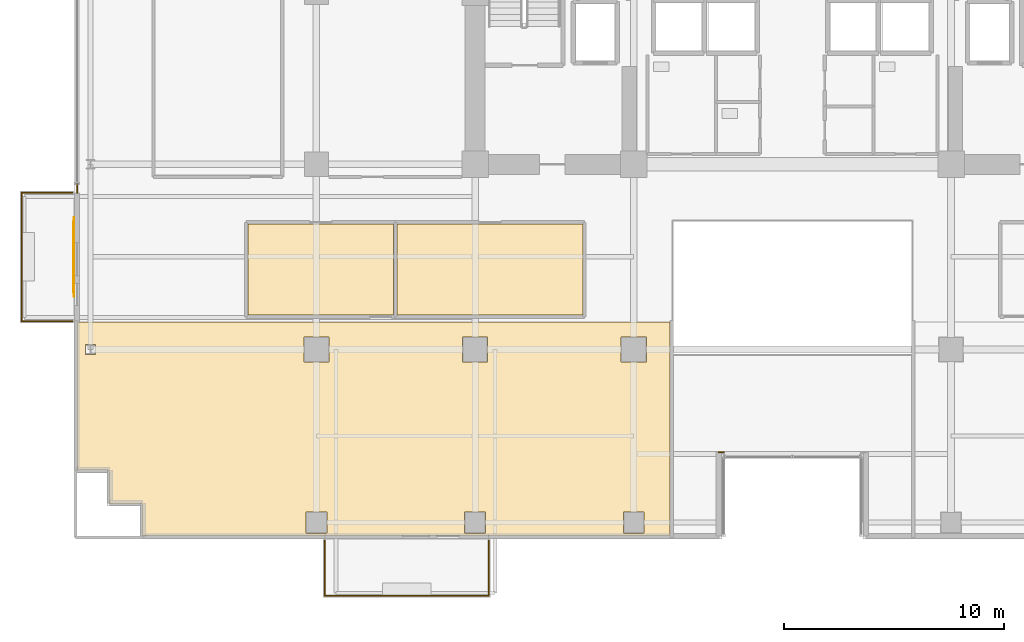
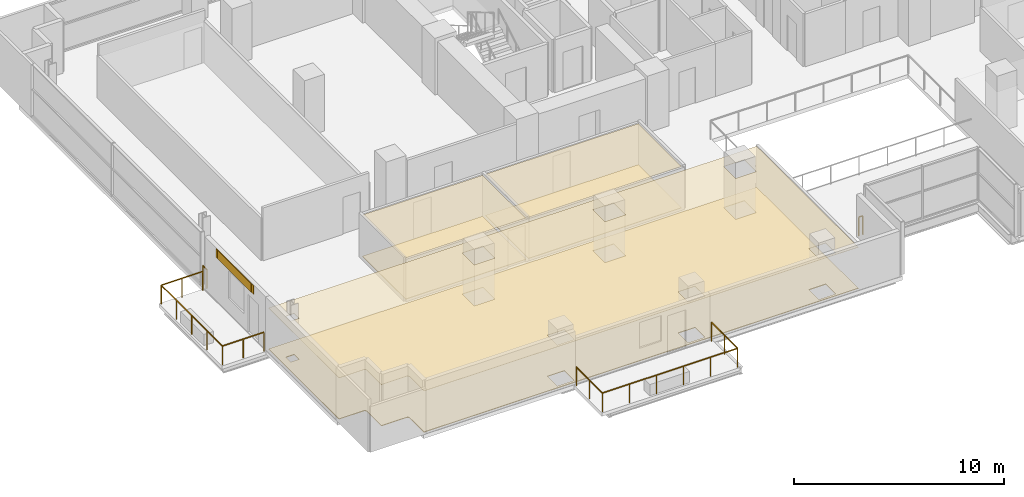
# One storey, part 27 of 31: 7 coverings, 4 railings, 1 shading device.
"""IFC4 building model written with IfcOpenShell, lengths in metres."""

import ifcopenshell
import ifcopenshell.guid

model = None  # the IFC model being written
_history = None  # IfcOwnerHistory: only IFC2X3 demands one
_inside = {}  # id of a spatial element -> (the spatial element, [elements in it])
_under = {}  # id of a project, library or spatial element -> (it, [spatial elements below it])
_declared = {}  # id of a project -> (the project, [libraries it declares])
_typed = {}  # id of a type object -> (the type object, [elements of that type])
_made_of = {}  # id of a material, layer set ... -> (it, [elements and type objects made of it])


def new_model(schema):
    """Start an empty IFC model of exactly this schema.

    Asked for "IFC4X3", IfcOpenShell would pick the latest addendum, in which some entities
    have other attributes; the version numbers below select the first issue.
    IFC2X3 requires an IfcOwnerHistory on every rooted entity: one is made here for all.
    """
    global model, _history
    if schema == "IFC4X3":
        model = ifcopenshell.file(schema_version=(4, 3, 0, 0))
    else:
        model = ifcopenshell.file(schema=schema)
    _inside.clear()
    _under.clear()
    _declared.clear()
    _typed.clear()
    _made_of.clear()
    _history = None
    if model.schema == "IFC2X3":
        org = make("IfcOrganization", Name="unknown")
        user = make(
            "IfcPersonAndOrganization",
            ThePerson=make("IfcPerson", FamilyName="unknown"),
            TheOrganization=org,
        )
        app = make(
            "IfcApplication",
            ApplicationDeveloper=org,
            Version="unknown",
            ApplicationFullName="unknown",
            ApplicationIdentifier="unknown",
        )
        _history = make(
            "IfcOwnerHistory",
            OwningUser=user,
            OwningApplication=app,
            ChangeAction="ADDED",
            CreationDate=0,
        )
    return model


def make(cls, **values):
    """One entity of the class cls with the attributes given. An attribute that is None is left unset."""
    return model.create_entity(
        cls, **{name: value for name, value in values.items() if value is not None}
    )


def rooted(cls, **values):
    """An entity with a GlobalId (a new one), such as an element, a storey or a relation."""
    return make(cls, GlobalId=ifcopenshell.guid.new(), OwnerHistory=_history, **values)


def si_unit(unit_type, name, prefix=None):
    """IfcSIUnit, for example si_unit("LENGTHUNIT", "METRE", prefix="MILLI")."""
    return make("IfcSIUnit", UnitType=unit_type, Prefix=prefix, Name=name)


def assignment(units):
    """IfcUnitAssignment: the units of a project."""
    return None if units is None else make("IfcUnitAssignment", Units=units)


def point(xyz):
    """IfcCartesianPoint."""
    return None if xyz is None else make("IfcCartesianPoint", Coordinates=xyz)


def direction(xyz):
    """IfcDirection."""
    return None if xyz is None else make("IfcDirection", DirectionRatios=xyz)


def frame(location, z_axis=None, x_axis=None):
    """IfcAxis2Placement3D, a coordinate frame: its origin and axes. An axis left out is left unset."""
    return make(
        "IfcAxis2Placement3D",
        Location=point(location),
        Axis=direction(z_axis),
        RefDirection=direction(x_axis),
    )


def frame_2d(location, x_axis=None):
    """IfcAxis2Placement2D, a coordinate frame in the plane: its origin and x axis."""
    return make(
        "IfcAxis2Placement2D", Location=point(location), RefDirection=direction(x_axis)
    )


def origin():
    """The frame at (0, 0, 0) with its axes left unset."""
    return frame((0.0, 0.0, 0.0))


def origin_2d():
    """The frame at (0, 0) in the plane with its x axis left unset."""
    return frame_2d((0.0, 0.0))


def place(relative_to, where):
    """IfcLocalPlacement: puts the frame where relative to a parent placement (None: the world)."""
    return make(
        "IfcLocalPlacement", PlacementRelTo=relative_to, RelativePlacement=where
    )


def context(
    kind, dimensions, precision=None, world=None, true_north=None, identifier=None
):
    """IfcGeometricRepresentationContext, for example the 3D "Model" context."""
    return make(
        "IfcGeometricRepresentationContext",
        ContextIdentifier=identifier,
        ContextType=kind,
        CoordinateSpaceDimension=dimensions,
        Precision=precision,
        WorldCoordinateSystem=world,
        TrueNorth=true_north,
    )


def subcontext(parent, identifier, kind, view, scale=None):
    """IfcGeometricRepresentationSubContext, for example "Body" below "Model"."""
    return make(
        "IfcGeometricRepresentationSubContext",
        ContextIdentifier=identifier,
        ContextType=kind,
        ParentContext=parent,
        TargetScale=scale,
        TargetView=view,
    )


def project(units=None, contexts=None):
    """IfcProject with its units and contexts."""
    return rooted(
        "IfcProject",
        Name="project",
        RepresentationContexts=contexts,
        UnitsInContext=assignment(units),
    )


def spatial(cls, under=None, at=None, **own):
    """A site, building, storey or space (cls), placed at a placement, below another one or the project."""
    s = rooted(cls, ObjectPlacement=at, **own)
    if under is not None:
        _under.setdefault(under.id(), (under, []))[1].append(s)
    return s


def polyline(points):
    """IfcPolyline through the points."""
    return make("IfcPolyline", Points=[point(p) for p in points])


def profile(cls, at=None, kind="AREA", **sizes):
    """A parametric profile (cls). Its sizes go by their IFC names, for example OverallWidth=200.0."""
    return make(cls, ProfileType=kind, Position=at, **sizes)


def rectangle(**sizes):
    """IfcRectangleProfileDef."""
    return profile("IfcRectangleProfileDef", **sizes)


def outline(outer, holes=None, kind="AREA"):
    """IfcArbitraryClosedProfileDef: a profile drawn as a closed curve; with holes, ...WithVoids."""
    if holes is None:
        return make("IfcArbitraryClosedProfileDef", ProfileType=kind, OuterCurve=outer)
    return make(
        "IfcArbitraryProfileDefWithVoids",
        ProfileType=kind,
        OuterCurve=outer,
        InnerCurves=holes,
    )


def extrude(swept, where, along, depth):
    """IfcExtrudedAreaSolid: the profile swept, set in the frame where, extruded along a direction by depth."""
    return make(
        "IfcExtrudedAreaSolid",
        SweptArea=swept,
        Position=where,
        ExtrudedDirection=direction(along),
        Depth=depth,
    )


def shape(context_of_items, identifier, shape_type, items):
    """IfcShapeRepresentation: the items that make up one representation, for example the "Body"."""
    return make(
        "IfcShapeRepresentation",
        ContextOfItems=context_of_items,
        RepresentationIdentifier=identifier,
        RepresentationType=shape_type,
        Items=items,
    )


def source(mapping_origin, context_of_items, identifier, shape_type, items):
    """IfcRepresentationMap: a shape defined once, which mapped items show again and again."""
    return make(
        "IfcRepresentationMap",
        MappingOrigin=mapping_origin,
        MappedRepresentation=shape(context_of_items, identifier, shape_type, items),
    )


def transform(
    local_origin,
    x_axis=None,
    y_axis=None,
    z_axis=None,
    scale=None,
    scale2=None,
    scale3=None,
    uniform=True,
):
    """IfcCartesianTransformationOperator3D, or its non-uniform kind. x_axis, y_axis, z_axis: its Axis1, 2, 3."""
    if uniform:
        return make(
            "IfcCartesianTransformationOperator3D",
            Axis1=direction(x_axis),
            Axis2=direction(y_axis),
            LocalOrigin=point(local_origin),
            Scale=scale,
            Axis3=direction(z_axis),
        )
    return make(
        "IfcCartesianTransformationOperator3DnonUniform",
        Axis1=direction(x_axis),
        Axis2=direction(y_axis),
        LocalOrigin=point(local_origin),
        Scale=scale,
        Axis3=direction(z_axis),
        Scale2=scale2,
        Scale3=scale3,
    )


def mapped(mapping_source, mapping_target):
    """IfcMappedItem: shows the shape of a source again, moved by a transform."""
    return make(
        "IfcMappedItem", MappingSource=mapping_source, MappingTarget=mapping_target
    )


def material(Name=None, Category=None):
    """IfcMaterial."""
    return make("IfcMaterial", Name=Name, Category=Category)


def layer(
    of_material, thickness, ventilated=None, Name=None, Category=None, Priority=None
):
    """IfcMaterialLayer: one layer of a wall or slab, of a material (None: an air gap)."""
    return make(
        "IfcMaterialLayer",
        Material=of_material,
        LayerThickness=thickness,
        IsVentilated=ventilated,
        Name=Name,
        Category=Category,
        Priority=Priority,
    )


def layer_set(layers, Name=None):
    """IfcMaterialLayerSet."""
    return make("IfcMaterialLayerSet", MaterialLayers=layers, LayerSetName=Name)


def made_of(thing, what):
    """Note that an element or type object is made of a material, layer set ...; save() writes the relation."""
    if what is not None:
        _made_of.setdefault(what.id(), (what, []))[1].append(thing)
    return thing


def type_object(cls, material=None, **own):
    """A type object (cls), such as IfcWallType, which elements share."""
    return made_of(rooted(cls, **own), material)


def element(
    cls,
    number,
    at=None,
    inside=None,
    cuts=None,
    type_object=None,
    material=None,
    context=None,
    identifier="Body",
    shape_type=None,
    held_by="IfcProductDefinitionShape",
    body=None,
    shapes=None,
    **own,
):
    """One element of the class cls, such as IfcWall. Its Tag is "e" and its number.

    at: its placement. inside: the storey or other place that contains it. cuts: it is an
    opening in that element (IfcRelVoidsElement). A single representation is given by context,
    identifier, shape_type and body (its items); several are given by shapes. held_by: the class
    of the entity that holds the representations. save() writes the other relations.
    """
    e = rooted(cls, Tag="e%d" % number, ObjectPlacement=at, **own)
    if body is not None:
        shapes = [shape(context, identifier, shape_type, body)]
    if shapes is not None:
        e.Representation = make(held_by, Representations=shapes)
    if inside is not None:
        _inside.setdefault(inside.id(), (inside, []))[1].append(e)
    if cuts is not None:
        rooted(
            "IfcRelVoidsElement", RelatingBuildingElement=cuts, RelatedOpeningElement=e
        )
    if type_object is not None:
        _typed.setdefault(type_object.id(), (type_object, []))[1].append(e)
    return made_of(e, material)


def aggregate(whole, parts):
    """IfcRelAggregates: a whole, such as a stair, and the parts it consists of."""
    return rooted("IfcRelAggregates", RelatingObject=whole, RelatedObjects=parts)


def save(model, path):
    """Write the relations noted so far, then the file.

    IfcRelAggregates (storeys below a building ...), IfcRelContainedInSpatialStructure (elements
    in a storey), IfcRelDefinesByType, IfcRelAssociatesMaterial and IfcRelDeclares: one each for
    every whole, place, type object, material and project.
    """
    for whole, parts in _under.values():
        aggregate(whole, parts)
    for where, things in _inside.values():
        rooted(
            "IfcRelContainedInSpatialStructure",
            RelatedElements=things,
            RelatingStructure=where,
        )
    for kind, things in _typed.values():
        rooted("IfcRelDefinesByType", RelatedObjects=things, RelatingType=kind)
    for what, things in _made_of.values():
        rooted("IfcRelAssociatesMaterial", RelatedObjects=things, RelatingMaterial=what)
    for by, libraries in _declared.values():
        rooted("IfcRelDeclares", RelatingContext=by, RelatedDefinitions=libraries)
    model.write(path)


model = new_model("IFC4")

# Units and contexts
model_context = context("Model", 3, precision=1e-05, world=origin(), true_north=direction((0.0, 1.0)))
body_context = subcontext(model_context, "Body", "Model", "MODEL_VIEW")
ifc_project = project(units=[si_unit("LENGTHUNIT", "METRE"), si_unit("AREAUNIT", "SQUARE_METRE"), si_unit("VOLUMEUNIT", "CUBIC_METRE"), si_unit("PLANEANGLEUNIT", "RADIAN"), si_unit("MASSUNIT", "GRAM", prefix="KILO")], contexts=[model_context])

# Site, building, storey
site_placement = place(None, origin())
site = spatial("IfcSite", under=ifc_project, at=site_placement, CompositionType="ELEMENT")
building_placement = place(site_placement, origin())
building = spatial("IfcBuilding", under=site, at=building_placement, Name="Zarnakvel Exchange Tower", CompositionType="ELEMENT")
storey_placement = place(building_placement, frame((0.0, 0.0, 47.199951171875)))
storey = spatial("IfcBuildingStorey", under=building, at=storey_placement, Name="L12", CompositionType="ELEMENT", Elevation=47.199951171875)

# Coverings
ifc_material_1 = material(Name="Perforated Bronze Acoustic Metal Ceiling", Category="aluminium")
ifc_layer_1 = layer(ifc_material_1, 0.02001953125)
ifc_layer_set_1 = layer_set([ifc_layer_1], Name="Perforated Bronze Acoustic Metal Ceiling")
covering_type_1 = type_object("IfcCoveringType", Name="CLG-01", PredefinedType="CEILING", material=ifc_layer_set_1)
covering_1_placement = place(storey_placement, frame((0.0, 0.0, 2.405029296875)))
element("IfcCovering", 1, at=covering_1_placement, inside=storey, type_object=covering_type_1, Name="L12 Suspended Acoustic Ceiling (Conference Room)", PredefinedType="CEILING", context=body_context, shape_type="SweptSolid", body=[
    extrude(outline(polyline([(-24.710205078125, -3.909912109375), (-18.092529296875, -3.909912109375), (-18.092529296875, -8.0400390625), (-24.710205078125, -8.0400390625), (-24.710205078125, -3.909912109375)])), origin(), (0.0, 0.0, 1.0), 0.02001953125),
])
covering_2_placement = place(storey_placement, frame((0.0, 0.0, 2.405029296875)))
element("IfcCovering", 2, at=covering_2_placement, inside=storey, type_object=covering_type_1, Name="L12 Suspended Acoustic Ceiling (Executive Suite)", PredefinedType="CEILING", context=body_context, shape_type="SweptSolid", body=[
    extrude(outline(polyline([(-17.9326171875, -3.909912109375), (-9.510009765625, -3.909912109375), (-9.510009765625, -8.0400390625), (-17.9326171875, -8.0400390625), (-17.9326171875, -3.909912109375)])), origin(), (0.0, 0.0, 1.0), 0.02001953125),
])
covering_3_placement = place(storey_placement, frame((0.0, 0.0, 2.405029296875)))
element("IfcCovering", 3, at=covering_3_placement, inside=storey, type_object=covering_type_1, Name="L12 Suspended Acoustic Ceiling (Derivatives Trading Hall)", PredefinedType="CEILING", context=body_context, shape_type="SweptSolid", body=[
    extrude(outline(polyline([(-5.56005859375, -8.360107421875), (-5.56005859375, -18.050048828125), (-29.47998046875, -18.050048828125), (-29.47998046875, -16.699951171875), (-29.48046875, -16.688232421875), (-29.482421875, -16.676513671875), (-29.485107421875, -16.665283203125), (-29.489013671875, -16.654052734375), (-29.494140625, -16.643310546875), (-29.500244140625, -16.63330078125), (-29.50732421875, -16.623779296875), (-29.51513671875, -16.615234375), (-29.52392578125, -16.607177734375), (-29.533447265625, -16.600341796875), (-29.54345703125, -16.59423828125), (-29.55419921875, -16.589111328125), (-29.565185546875, -16.585205078125), (-29.57666015625, -16.582275390625), (-29.588134765625, -16.58056640625), (-29.60009765625, -16.580078125), (-30.97998046875, -16.580078125), (-30.97998046875, -15.199951171875), (-30.98046875, -15.188232421875), (-30.982421875, -15.176513671875), (-30.985107421875, -15.165283203125), (-30.989013671875, -15.154052734375), (-30.994140625, -15.143310546875), (-31.000244140625, -15.13330078125), (-31.00732421875, -15.123779296875), (-31.01513671875, -15.115234375), (-31.02392578125, -15.107177734375), (-31.033447265625, -15.100341796875), (-31.04345703125, -15.09423828125), (-31.05419921875, -15.089111328125), (-31.065185546875, -15.085205078125), (-31.07666015625, -15.082275390625), (-31.088134765625, -15.08056640625), (-31.10009765625, -15.080078125), (-32.449951171875, -15.080078125), (-32.449951171875, -8.360107421875), (-5.56005859375, -8.360107421875)]), holes=[polyline([(-7.77001953125, -10.169921875), (-6.6298828125, -10.169921875), (-6.6298828125, -9.030029296875), (-7.77001953125, -9.030029296875), (-7.77001953125, -10.169921875)]), polyline([(-6.72998046875, -17.919921875), (-6.72998046875, -16.97998046875), (-7.669921875, -16.97998046875), (-7.669921875, -17.919921875), (-6.72998046875, -17.919921875)]), polyline([(-13.830078125, -10.169921875), (-13.830078125, -9.030029296875), (-14.969970703125, -9.030029296875), (-14.969970703125, -10.169921875), (-13.830078125, -10.169921875)]), polyline([(-13.929931640625, -17.919921875), (-13.929931640625, -16.97998046875), (-14.8701171875, -16.97998046875), (-14.8701171875, -17.919921875), (-13.929931640625, -17.919921875)]), polyline([(-21.030029296875, -10.169921875), (-21.030029296875, -9.030029296875), (-22.169921875, -9.030029296875), (-22.169921875, -10.169921875), (-21.030029296875, -10.169921875)]), polyline([(-21.1298828125, -17.919921875), (-21.1298828125, -16.97998046875), (-22.070068359375, -16.97998046875), (-22.070068359375, -17.919921875), (-21.1298828125, -17.919921875)]), polyline([(-32.075927734375, -9.83251953125), (-31.6240234375, -9.83251953125), (-31.6240234375, -9.367431640625), (-32.075927734375, -9.367431640625), (-32.075927734375, -9.83251953125)])]), origin(), (0.0, 0.0, 1.0), 0.02001953125),
])
ifc_material_2 = material(Name="Heavy-Duty Raised Access Floor Panel", Category="steel")
ifc_layer_2 = layer(ifc_material_2, 0.034912109375)
ifc_layer_set_2 = layer_set([ifc_layer_2], Name="Heavy-Duty Raised Access Floor Panel")
covering_type_2 = type_object("IfcCoveringType", Name="FLR-02", PredefinedType="FLOORING", material=ifc_layer_set_2)
covering_4_placement = place(storey_placement, origin())
element("IfcCovering", 4, at=covering_4_placement, inside=storey, type_object=covering_type_2, Name="L12 Floor Finish (Conference Room)", PredefinedType="FLOORING", context=body_context, shape_type="SweptSolid", body=[
    extrude(outline(polyline([(-24.710205078125, -3.909912109375), (-18.092529296875, -3.909912109375), (-18.092529296875, -8.0400390625), (-24.710205078125, -8.0400390625), (-24.710205078125, -3.909912109375)])), origin(), (0.0, 0.0, 1.0), 0.03515625),
])
covering_5_placement = place(storey_placement, origin())
element("IfcCovering", 5, at=covering_5_placement, inside=storey, type_object=covering_type_2, Name="L12 Floor Finish (Executive Suite)", PredefinedType="FLOORING", context=body_context, shape_type="SweptSolid", body=[
    extrude(outline(polyline([(-17.9326171875, -3.909912109375), (-9.510009765625, -3.909912109375), (-9.510009765625, -8.0400390625), (-17.9326171875, -8.0400390625), (-17.9326171875, -3.909912109375)])), origin(), (0.0, 0.0, 1.0), 0.03515625),
])
covering_6_placement = place(storey_placement, origin())
element("IfcCovering", 6, at=covering_6_placement, inside=storey, type_object=covering_type_2, Name="L12 Floor Finish (Derivatives Trading Hall)", PredefinedType="FLOORING", context=body_context, shape_type="SweptSolid", body=[
    extrude(outline(polyline([(-5.56005859375, -8.360107421875), (-5.56005859375, -18.050048828125), (-29.47998046875, -18.050048828125), (-29.47998046875, -16.699951171875), (-29.48046875, -16.688232421875), (-29.482421875, -16.676513671875), (-29.485107421875, -16.665283203125), (-29.489013671875, -16.654052734375), (-29.494140625, -16.643310546875), (-29.500244140625, -16.63330078125), (-29.50732421875, -16.623779296875), (-29.51513671875, -16.615234375), (-29.52392578125, -16.607177734375), (-29.533447265625, -16.600341796875), (-29.54345703125, -16.59423828125), (-29.55419921875, -16.589111328125), (-29.565185546875, -16.585205078125), (-29.57666015625, -16.582275390625), (-29.588134765625, -16.58056640625), (-29.60009765625, -16.580078125), (-30.97998046875, -16.580078125), (-30.97998046875, -15.199951171875), (-30.98046875, -15.188232421875), (-30.982421875, -15.176513671875), (-30.985107421875, -15.165283203125), (-30.989013671875, -15.154052734375), (-30.994140625, -15.143310546875), (-31.000244140625, -15.13330078125), (-31.00732421875, -15.123779296875), (-31.01513671875, -15.115234375), (-31.02392578125, -15.107177734375), (-31.033447265625, -15.100341796875), (-31.04345703125, -15.09423828125), (-31.05419921875, -15.089111328125), (-31.065185546875, -15.085205078125), (-31.07666015625, -15.082275390625), (-31.088134765625, -15.08056640625), (-31.10009765625, -15.080078125), (-32.449951171875, -15.080078125), (-32.449951171875, -8.360107421875), (-5.56005859375, -8.360107421875)]), holes=[polyline([(-7.77001953125, -10.169921875), (-6.6298828125, -10.169921875), (-6.6298828125, -9.030029296875), (-7.77001953125, -9.030029296875), (-7.77001953125, -10.169921875)]), polyline([(-6.72998046875, -17.919921875), (-6.72998046875, -16.97998046875), (-7.669921875, -16.97998046875), (-7.669921875, -17.919921875), (-6.72998046875, -17.919921875)]), polyline([(-13.830078125, -10.169921875), (-13.830078125, -9.030029296875), (-14.969970703125, -9.030029296875), (-14.969970703125, -10.169921875), (-13.830078125, -10.169921875)]), polyline([(-13.929931640625, -17.919921875), (-13.929931640625, -16.97998046875), (-14.8701171875, -16.97998046875), (-14.8701171875, -17.919921875), (-13.929931640625, -17.919921875)]), polyline([(-21.030029296875, -10.169921875), (-21.030029296875, -9.030029296875), (-22.169921875, -9.030029296875), (-22.169921875, -10.169921875), (-21.030029296875, -10.169921875)]), polyline([(-21.1298828125, -17.919921875), (-21.1298828125, -16.97998046875), (-22.070068359375, -16.97998046875), (-22.070068359375, -17.919921875), (-21.1298828125, -17.919921875)]), polyline([(-32.075927734375, -9.83251953125), (-31.6240234375, -9.83251953125), (-31.6240234375, -9.367431640625), (-32.075927734375, -9.367431640625), (-32.075927734375, -9.83251953125)])]), origin(), (0.0, 0.0, 1.0), 0.03515625),
])

# Railings
ifc_material_3 = material(Name="Architectural Bronze Anodised Aluminium", Category="aluminium")
railing_type = type_object("IfcRailingType", Name="GR-02", PredefinedType="GUARDRAIL", material=ifc_material_3)
railing_1_placement = place(storey_placement, frame((-21.219970703125, -18.280029296875, -0.034912109375)))
element("IfcRailing", 7, at=railing_1_placement, inside=storey, type_object=railing_type, Name="L12 Balcony Guardrail BAL-L12-SW", PredefinedType="GUARDRAIL", context=body_context, shape_type="SweptSolid", body=[
    extrude(rectangle(XDim=0.048095703125, YDim=0.048095703125, at=origin_2d()), frame((0.0, 0.0, 1.09619140625), z_axis=(0.0, -1.0, 0.0), x_axis=(1.0, 0.0, 0.0)), (0.0, 0.0, 1.0), 2.489990234375),
    extrude(rectangle(XDim=0.048095703125, YDim=0.048095703125, at=origin_2d()), frame((0.0, -2.489990234375, 1.09619140625), z_axis=(1.0, 0.0, 0.0), x_axis=(0.0, 1.0, 0.0)), (0.0, 0.0, 1.0), 7.43994140625),
    extrude(rectangle(XDim=0.048095703125, YDim=0.048095703125, at=origin_2d()), frame((7.43994140625, -2.489990234375, 1.09619140625), z_axis=(0.0, 1.0, 0.0), x_axis=(-1.0, 0.0, 0.0)), (0.0, 0.0, 1.0), 2.489990234375),
    extrude(rectangle(XDim=0.0419921875, YDim=0.0419921875, at=origin_2d()), origin(), (0.0, 0.0, 1.0), 1.072021484375),
    extrude(rectangle(XDim=0.0419921875, YDim=0.0419921875, at=origin_2d()), frame((0.0, -1.2451171875, 0.0)), (0.0, 0.0, 1.0), 1.072021484375),
    extrude(rectangle(XDim=0.0419921875, YDim=0.0419921875, at=origin_2d()), frame((0.0, -2.489990234375, 0.0)), (0.0, 0.0, 1.0), 1.072021484375),
    extrude(rectangle(XDim=0.0419921875, YDim=0.0419921875, at=origin_2d()), frame((1.488037109375, -2.489990234375, 0.0)), (0.0, 0.0, 1.0), 1.072021484375),
    extrude(rectangle(XDim=0.0419921875, YDim=0.0419921875, at=origin_2d()), frame((2.97607421875, -2.489990234375, 0.0)), (0.0, 0.0, 1.0), 1.072021484375),
    extrude(rectangle(XDim=0.0419921875, YDim=0.0419921875, at=origin_2d()), frame((4.4638671875, -2.489990234375, 0.0)), (0.0, 0.0, 1.0), 1.072021484375),
    extrude(rectangle(XDim=0.0419921875, YDim=0.0419921875, at=origin_2d()), frame((5.951904296875, -2.489990234375, 0.0)), (0.0, 0.0, 1.0), 1.072021484375),
    extrude(rectangle(XDim=0.0419921875, YDim=0.0419921875, at=origin_2d()), frame((7.43994140625, -2.489990234375, 0.0)), (0.0, 0.0, 1.0), 1.072021484375),
    extrude(rectangle(XDim=0.0419921875, YDim=0.0419921875, at=origin_2d()), frame((7.43994140625, -1.2451171875, 0.0)), (0.0, 0.0, 1.0), 1.072021484375),
    extrude(rectangle(XDim=0.0419921875, YDim=0.0419921875, at=origin_2d()), frame((7.43994140625, 0.0, 0.0)), (0.0, 0.0, 1.0), 1.072021484375),
])
railing_2_placement = place(storey_placement, frame((-32.679931640625, -8.320068359375, -0.034912109375)))
element("IfcRailing", 8, at=railing_2_placement, inside=storey, type_object=railing_type, Name="L12 Balcony Guardrail BAL-L12-W", PredefinedType="GUARDRAIL", context=body_context, shape_type="SweptSolid", body=[
    extrude(rectangle(XDim=0.048095703125, YDim=0.048095703125, at=origin_2d()), frame((0.0, 0.0, 1.09619140625), z_axis=(-1.0, 0.0, 0.0), x_axis=(0.0, -1.0, 0.0)), (0.0, 0.0, 1.0), 2.2900390625),
    extrude(rectangle(XDim=0.048095703125, YDim=0.048095703125, at=origin_2d()), frame((-2.2900390625, 0.0, 1.09619140625), z_axis=(0.0, 1.0, 0.0), x_axis=(-1.0, 0.0, 0.0)), (0.0, 0.0, 1.0), 5.840087890625),
    extrude(rectangle(XDim=0.048095703125, YDim=0.048095703125, at=origin_2d()), frame((-2.2900390625, 5.840087890625, 1.09619140625), z_axis=(1.0, 0.0, 0.0), x_axis=(0.0, 1.0, 0.0)), (0.0, 0.0, 1.0), 2.2900390625),
    extrude(rectangle(XDim=0.0419921875, YDim=0.0419921875, at=origin_2d()), origin(), (0.0, 0.0, 1.0), 1.072021484375),
    extrude(rectangle(XDim=0.0419921875, YDim=0.0419921875, at=origin_2d()), frame((-1.14501953125, 0.0, 0.0)), (0.0, 0.0, 1.0), 1.072021484375),
    extrude(rectangle(XDim=0.0419921875, YDim=0.0419921875, at=origin_2d()), frame((-2.2900390625, 0.0, 0.0)), (0.0, 0.0, 1.0), 1.072021484375),
    extrude(rectangle(XDim=0.0419921875, YDim=0.0419921875, at=origin_2d()), frame((-2.2900390625, 1.4599609375, 0.0)), (0.0, 0.0, 1.0), 1.072021484375),
    extrude(rectangle(XDim=0.0419921875, YDim=0.0419921875, at=origin_2d()), frame((-2.2900390625, 2.919921875, 0.0)), (0.0, 0.0, 1.0), 1.072021484375),
    extrude(rectangle(XDim=0.0419921875, YDim=0.0419921875, at=origin_2d()), frame((-2.2900390625, 4.380126953125, 0.0)), (0.0, 0.0, 1.0), 1.072021484375),
    extrude(rectangle(XDim=0.0419921875, YDim=0.0419921875, at=origin_2d()), frame((-2.2900390625, 5.840087890625, 0.0)), (0.0, 0.0, 1.0), 1.072021484375),
    extrude(rectangle(XDim=0.0419921875, YDim=0.0419921875, at=origin_2d()), frame((-1.14501953125, 5.840087890625, 0.0)), (0.0, 0.0, 1.0), 1.072021484375),
    extrude(rectangle(XDim=0.0419921875, YDim=0.0419921875, at=origin_2d()), frame((0.0, 5.840087890625, 0.0)), (0.0, 0.0, 1.0), 1.072021484375),
])
railing_3_placement = place(storey_placement, frame((-32.4599609375, -2.5, 0.0)))
element("IfcRailing", 9, at=railing_3_placement, inside=storey, type_object=railing_type, Name="L12 Corner Spandrel Balustrade #2", PredefinedType="GUARDRAIL", context=body_context, shape_type="SweptSolid", body=[
    extrude(rectangle(XDim=0.048095703125, YDim=0.048095703125, at=origin_2d()), frame((0.0, 0.0, 1.09619140625), z_axis=(0.0, 1.0, 0.0), x_axis=(-1.0, 0.0, 0.0)), (0.0, 0.0, 1.0), 0.39990234375),
    extrude(rectangle(XDim=0.0419921875, YDim=0.0419921875, at=origin_2d()), origin(), (0.0, 0.0, 1.0), 1.072021484375),
    extrude(rectangle(XDim=0.0419921875, YDim=0.0419921875, at=origin_2d()), frame((0.0, 0.39990234375, 0.0)), (0.0, 0.0, 1.0), 1.072021484375),
])
railing_4_placement = place(storey_placement, frame((-3.1201171875, -14.260009765625, 0.0)))
element("IfcRailing", 10, at=railing_4_placement, inside=storey, type_object=railing_type, Name="L12 Corner Spandrel Balustrade #19", PredefinedType="GUARDRAIL", context=body_context, shape_type="SweptSolid", body=[
    extrude(rectangle(XDim=0.048095703125, YDim=0.048095703125, at=origin_2d()), frame((0.0, 0.0, 1.09619140625), z_axis=(-1.0, 0.0, 0.0), x_axis=(0.0, -1.0, 0.0)), (0.0, 0.0, 1.0), 0.219970703125),
    extrude(rectangle(XDim=0.0419921875, YDim=0.0419921875, at=origin_2d()), origin(), (0.0, 0.0, 1.0), 1.072021484375),
    extrude(rectangle(XDim=0.0419921875, YDim=0.0419921875, at=origin_2d()), frame((-0.219970703125, 0.0, 0.0)), (0.0, 0.0, 1.0), 1.072021484375),
])

# Covering
ifc_material_4 = material(Name="Warm Sandstone Terracotta Spandrel Tile", Category="masonry")
ifc_layer_3 = layer(ifc_material_4, 0.031982421875)
ifc_layer_set_3 = layer_set([ifc_layer_3], Name="Warm Sandstone Terracotta Spandrel Tile")
covering_type_3 = type_object("IfcCoveringType", Name="CL-02", PredefinedType="CLADDING", material=ifc_layer_set_3)
shared_shape_1 = source(origin(), body_context, "Body", "SweptSolid", [
    extrude(rectangle(XDim=3.60009765625, YDim=0.031982421875, at=origin_2d()), origin(), (0.0, 0.0, 1.0), 0.4951171875),
])
covering_7_placement = place(storey_placement, frame((-32.593994140625, -5.39990234375, 2.56005859375), z_axis=(0.0, 0.0, 1.0), x_axis=(0.0, 1.0, 0.0)))
element("IfcCovering", 11, at=covering_7_placement, inside=storey, type_object=covering_type_3, Name="L12 Ceramic Spandrel Tilework CL-02", PredefinedType="CLADDING", context=body_context, shape_type="MappedRepresentation", body=[
    mapped(shared_shape_1, transform((0.0, 0.0, 0.0), x_axis=(1.0, 0.0, 0.0), y_axis=(0.0, 1.0, 0.0), z_axis=(0.0, 0.0, 1.0), scale=1.0)),
])

# Shading device
ifc_material_5 = material(Name="Perforated Architectural Bronze Screen", Category="aluminium")
ifc_layer_4 = layer(ifc_material_5, 0.044921875)
ifc_layer_set_4 = layer_set([ifc_layer_4], Name="Perforated Architectural Bronze Screen")
shading_device_type = type_object("IfcShadingDeviceType", Name="SS-01", PredefinedType="JALOUSIE", material=ifc_layer_set_4)
shared_shape_2 = source(origin(), body_context, "Body", "SweptSolid", [
    extrude(rectangle(XDim=3.199951171875, YDim=0.044921875, at=origin_2d()), origin(), (0.0, 0.0, 1.0), 0.4951171875),
])
shading_device_placement = place(storey_placement, frame((-32.6005859375, -5.39990234375, 2.56005859375), z_axis=(0.0, 0.0, 1.0), x_axis=(0.0, 1.0, 0.0)))
element("IfcShadingDevice", 12, at=shading_device_placement, inside=storey, type_object=shading_device_type, Name="L12 Bronze Solar Shading Screen SS-01", PredefinedType="JALOUSIE", context=body_context, shape_type="MappedRepresentation", body=[
    mapped(shared_shape_2, transform((0.0, 0.0, 0.0), x_axis=(1.0, 0.0, 0.0), y_axis=(0.0, 1.0, 0.0), z_axis=(0.0, 0.0, 1.0), scale=1.0)),
])

save(model, "model.ifc")
